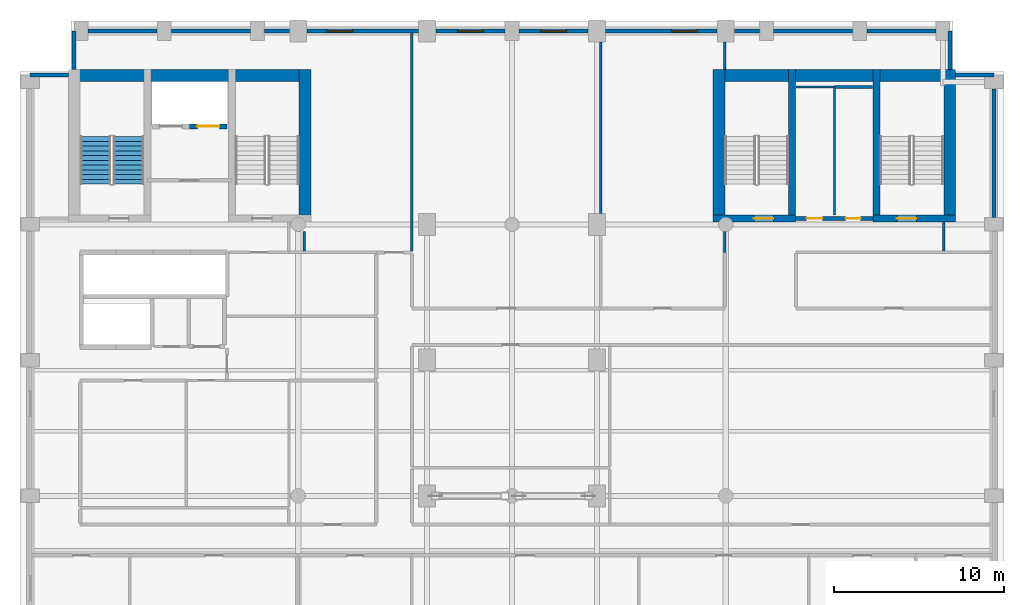
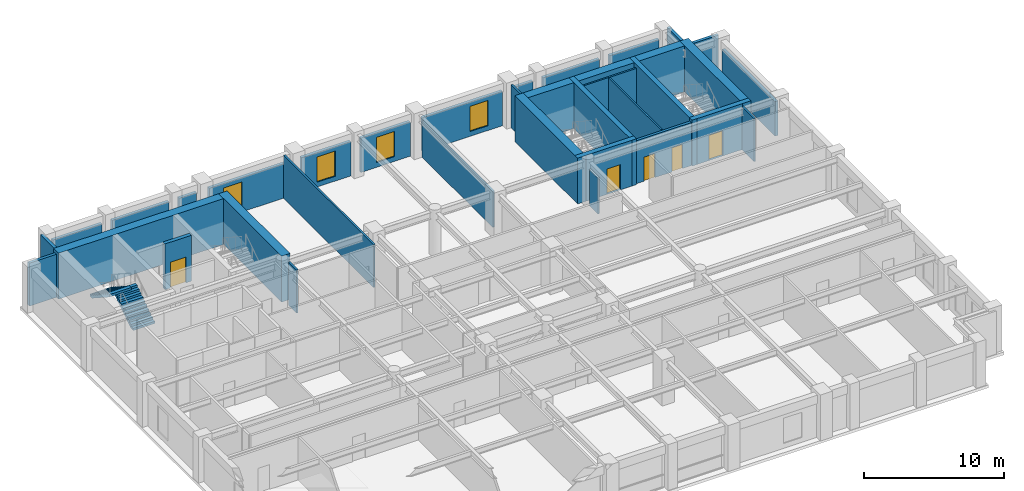
# One storey, part 9 of 13: 35 walls, 5 doors, 4 windows, 2 stair flights, 9 openings, 1 element without a shape of its own.
"""IFC4 building model written with IfcOpenShell, lengths in metres."""

from ifc_helpers import new_model, si_unit, direction, frame, frame_2d, origin, place, context, subcontext, project, spatial, polyline, rectangle, outline, extrude, material, layer, layer_set, type_object, element, fill, aggregate, save


model = new_model("IFC4")

# Units and contexts
model_context = context("Model", 3, precision=1e-05, world=origin(), true_north=direction((0.0, 1.0)))
body_context = subcontext(model_context, "Body", "Model", "MODEL_VIEW")
ifc_project = project(units=[si_unit("LENGTHUNIT", "METRE"), si_unit("AREAUNIT", "SQUARE_METRE"), si_unit("VOLUMEUNIT", "CUBIC_METRE"), si_unit("PLANEANGLEUNIT", "RADIAN"), si_unit("MASSUNIT", "GRAM", prefix="KILO")], contexts=[model_context])

# Site, building, storey
site_placement = place(None, origin())
site = spatial("IfcSite", under=ifc_project, at=site_placement, CompositionType="ELEMENT")
building_placement = place(site_placement, origin())
building = spatial("IfcBuilding", under=site, at=building_placement, Name="Sulina Concourse Tower", CompositionType="ELEMENT")
storey_placement = place(building_placement, frame((0.0, 0.0, 202.60009765625)))
storey = spatial("IfcBuildingStorey", under=building, at=storey_placement, Name="L49", CompositionType="ELEMENT", Elevation=202.60009765625)

# Wall, opening, door
ifc_material_1 = material(Name="Concrete C50/60", Category="concrete")
ifc_layer_1 = layer(ifc_material_1, 0.300048828125)
ifc_layer_set_1 = layer_set([ifc_layer_1], Name="Concrete C50/60")
wall_type_1 = type_object("IfcWallType", Name="Core Lift Hoistway Wall 300mm", PredefinedType="SOLIDWALL", material=ifc_layer_set_1)
wall_1_placement = place(storey_placement, frame((12.199951171875, 39.780029296875, 0.0), z_axis=(0.0, 0.0, 1.0), x_axis=(-1.0, 0.0, 0.0)))
wall_1 = element("IfcWall", 1, at=wall_1_placement, inside=storey, type_object=wall_type_1, Name="L49 hoistway enclosure wall FFL-2", PredefinedType="SOLIDWALL", context=body_context, shape_type="SweptSolid", body=[
    extrude(rectangle(XDim=2.199951171875, YDim=0.300048828125, at=frame_2d((1.10009765625, 0.0))), origin(), (0.0, 0.0, 1.0), 4.0),
])
opening_1_placement = place(wall_1_placement, frame((0.449951171875, 0.0, 0.0)))
opening_1 = element("IfcOpeningElement", 2, at=opening_1_placement, cuts=wall_1, Name="Opening LD-02", PredefinedType="OPENING", context=body_context, shape_type="SweptSolid", body=[
    extrude(rectangle(XDim=1.300048828125, YDim=2.25, at=frame_2d((0.64990234375, 1.125))), frame((0.0, 0.159912109375, 0.0), z_axis=(0.0, -1.0, 0.0), x_axis=(1.0, 0.0, 0.0)), (0.0, 0.0, 1.0), 0.320068359375),
])
ifc_material_2 = material(Name="Stainless steel lift landing door", Category="steel")
ifc_layer_2 = layer(ifc_material_2, 0.050048828125)
ifc_layer_set_2 = layer_set([ifc_layer_2], Name="Stainless steel lift landing door")
door_type_1 = type_object("IfcDoorType", Name="Firefighting Lift Sliding Landing Door 1300x2250", OperationType="SLIDING_TO_RIGHT", PredefinedType="DOOR", material=ifc_layer_set_2)
door_1_placement = place(opening_1_placement, origin())
door_1 = element("IfcDoor", 3, at=door_1_placement, inside=storey, type_object=door_type_1, Name="L49 lift landing sliding door FFL-2", OperationType="SLIDING_TO_RIGHT", OverallHeight=2.25, OverallWidth=1.300048828125, PredefinedType="DOOR", context=body_context, shape_type="SweptSolid", body=[
    extrude(rectangle(XDim=1.300048828125, YDim=2.25, at=frame_2d((0.64990234375, 1.125))), frame((0.0, 0.02490234375, 0.0), z_axis=(0.0, -1.0, 0.0), x_axis=(1.0, 0.0, 0.0)), (0.0, 0.0, 1.0), 0.050048828125),
])
fill(opening_1, door_1)

# Walls
ifc_material_3 = material(Name="Precast concrete C50/60", Category="concrete")
ifc_layer_3 = layer(ifc_material_3, 0.239990234375)
ifc_layer_set_3 = layer_set([ifc_layer_3], Name="Precast concrete C50/60")
wall_type_2 = type_object("IfcWallType", Name="Crown Precast Masonry-Frame Facade Wall 240mm", PredefinedType="SOLIDWALL", material=ifc_layer_set_3)
wall_2_placement = place(storey_placement, frame((4.02001953125, 45.39990234375, 0.0), z_axis=(0.0, 0.0, 1.0), x_axis=(1.0, 0.0, 0.0)))
element("IfcWall", 4, at=wall_2_placement, inside=storey, type_object=wall_type_2, Name="L49 exterior precast wall N1", PredefinedType="SOLIDWALL", context=body_context, shape_type="SweptSolid", body=[
    extrude(rectangle(XDim=4.06005859375, YDim=0.239990234375, at=frame_2d((2.030029296875, 0.0))), origin(), (0.0, 0.0, 1.0), 3.0),
])
wall_3_placement = place(storey_placement, frame((8.919921875, 45.39990234375, 0.0), z_axis=(0.0, 0.0, 1.0), x_axis=(1.0, 0.0, 0.0)))
element("IfcWall", 5, at=wall_3_placement, inside=storey, type_object=wall_type_2, Name="L49 exterior precast wall N2", PredefinedType="SOLIDWALL", context=body_context, shape_type="SweptSolid", body=[
    extrude(rectangle(XDim=4.66015625, YDim=0.239990234375, at=frame_2d((2.330078125, 0.0))), origin(), (0.0, 0.0, 1.0), 3.0),
])
wall_4_placement = place(storey_placement, frame((14.419921875, 45.39990234375, 0.0), z_axis=(0.0, 0.0, 1.0), x_axis=(1.0, 0.0, 0.0)))
element("IfcWall", 6, at=wall_4_placement, inside=storey, type_object=wall_type_2, Name="L49 exterior precast wall N3", PredefinedType="SOLIDWALL", context=body_context, shape_type="SweptSolid", body=[
    extrude(rectangle(XDim=1.4599609375, YDim=0.239990234375, at=frame_2d((0.72998046875, 0.0))), origin(), (0.0, 0.0, 1.0), 3.0),
])

# Wall, opening, window
wall_5_placement = place(storey_placement, frame((16.919921875, 45.39990234375, 0.0), z_axis=(0.0, 0.0, 1.0), x_axis=(1.0, 0.0, 0.0)))
wall_5 = element("IfcWall", 7, at=wall_5_placement, inside=storey, type_object=wall_type_2, Name="L49 exterior precast wall N4", PredefinedType="SOLIDWALL", context=body_context, shape_type="SweptSolid", body=[
    extrude(rectangle(XDim=6.56005859375, YDim=0.239990234375, at=frame_2d((3.280029296875, 0.0))), origin(), (0.0, 0.0, 1.0), 3.0),
])
opening_2_placement = place(wall_5_placement, frame((1.186767578125, 0.0, 0.419921875)))
opening_2 = element("IfcOpeningElement", 8, at=opening_2_placement, cuts=wall_5, Name="Opening WN-71", PredefinedType="OPENING", context=body_context, shape_type="SweptSolid", body=[
    extrude(rectangle(XDim=1.5, YDim=2.199951171875, at=frame_2d((0.75, 1.10009765625))), frame((0.0, 0.1298828125, 0.0), z_axis=(0.0, -1.0, 0.0), x_axis=(1.0, 0.0, 0.0)), (0.0, 0.0, 1.0), 0.260009765625),
])
ifc_material_4 = material(Name="Low-E solar double glazing in bronze aluminium", Category="aluminium")
window_type = type_object("IfcWindowType", Name="Punched Masonry-Frame Window 1500x2200", PartitioningType="SINGLE_PANEL", PredefinedType="WINDOW", material=ifc_material_4)
window_1_placement = place(opening_2_placement, origin())
window_1 = element("IfcWindow", 9, at=window_1_placement, inside=storey, type_object=window_type, Name="L49 punched window N4-1", OverallHeight=2.199951171875, OverallWidth=1.5, PartitioningType="SINGLE_PANEL", PredefinedType="WINDOW", context=body_context, shape_type="SweptSolid", body=[
    extrude(rectangle(XDim=1.5, YDim=2.199951171875, at=frame_2d((0.75, 1.10009765625))), frame((0.0, 0.030029296875, 0.0), z_axis=(0.0, -1.0, 0.0), x_axis=(1.0, 0.0, 0.0)), (0.0, 0.0, 1.0), 0.06005859375),
])
fill(opening_2, window_1)

wall_6_placement = place(storey_placement, frame((24.52001953125, 45.39990234375, 0.0), z_axis=(0.0, 0.0, 1.0), x_axis=(1.0, 0.0, 0.0)))
wall_6 = element("IfcWall", 10, at=wall_6_placement, inside=storey, type_object=wall_type_2, Name="L49 exterior precast wall N5", PredefinedType="SOLIDWALL", context=body_context, shape_type="SweptSolid", body=[
    extrude(rectangle(XDim=4.06005859375, YDim=0.239990234375, at=frame_2d((2.030029296875, 0.0))), origin(), (0.0, 0.0, 1.0), 3.0),
])
opening_3_placement = place(wall_6_placement, frame((1.280029296875, 0.0, 0.419921875)))
opening_3 = element("IfcOpeningElement", 11, at=opening_3_placement, cuts=wall_6, Name="Opening WN-71", PredefinedType="OPENING", context=body_context, shape_type="SweptSolid", body=[
    extrude(rectangle(XDim=1.5, YDim=2.199951171875, at=frame_2d((0.75, 1.10009765625))), frame((0.0, 0.1298828125, 0.0), z_axis=(0.0, -1.0, 0.0), x_axis=(1.0, 0.0, 0.0)), (0.0, 0.0, 1.0), 0.260009765625),
])
window_2_placement = place(opening_3_placement, origin())
window_2 = element("IfcWindow", 12, at=window_2_placement, inside=storey, type_object=window_type, Name="L49 punched window N5-1", OverallHeight=2.199951171875, OverallWidth=1.5, PartitioningType="SINGLE_PANEL", PredefinedType="WINDOW", context=body_context, shape_type="SweptSolid", body=[
    extrude(rectangle(XDim=1.5, YDim=2.199951171875, at=frame_2d((0.75, 1.10009765625))), frame((0.0, 0.030029296875, 0.0), z_axis=(0.0, -1.0, 0.0), x_axis=(1.0, 0.0, 0.0)), (0.0, 0.0, 1.0), 0.06005859375),
])
fill(opening_3, window_2)

wall_7_placement = place(storey_placement, frame((29.419921875, 45.39990234375, 0.0), z_axis=(0.0, 0.0, 1.0), x_axis=(1.0, 0.0, 0.0)))
wall_7 = element("IfcWall", 13, at=wall_7_placement, inside=storey, type_object=wall_type_2, Name="L49 exterior precast wall N6", PredefinedType="SOLIDWALL", context=body_context, shape_type="SweptSolid", body=[
    extrude(rectangle(XDim=4.06005859375, YDim=0.239990234375, at=frame_2d((2.030029296875, 0.0))), origin(), (0.0, 0.0, 1.0), 3.0),
])
opening_4_placement = place(wall_7_placement, frame((1.280029296875, 0.0, 0.419921875)))
opening_4 = element("IfcOpeningElement", 14, at=opening_4_placement, cuts=wall_7, Name="Opening WN-71", PredefinedType="OPENING", context=body_context, shape_type="SweptSolid", body=[
    extrude(rectangle(XDim=1.5, YDim=2.199951171875, at=frame_2d((0.75, 1.10009765625))), frame((0.0, 0.1298828125, 0.0), z_axis=(0.0, -1.0, 0.0), x_axis=(1.0, 0.0, 0.0)), (0.0, 0.0, 1.0), 0.260009765625),
])
window_3_placement = place(opening_4_placement, origin())
window_3 = element("IfcWindow", 15, at=window_3_placement, inside=storey, type_object=window_type, Name="L49 punched window N6-1", OverallHeight=2.199951171875, OverallWidth=1.5, PartitioningType="SINGLE_PANEL", PredefinedType="WINDOW", context=body_context, shape_type="SweptSolid", body=[
    extrude(rectangle(XDim=1.5, YDim=2.199951171875, at=frame_2d((0.75, 1.10009765625))), frame((0.0, 0.030029296875, 0.0), z_axis=(0.0, -1.0, 0.0), x_axis=(1.0, 0.0, 0.0)), (0.0, 0.0, 1.0), 0.06005859375),
])
fill(opening_4, window_3)

wall_8_placement = place(storey_placement, frame((34.52001953125, 45.39990234375, 0.0), z_axis=(0.0, 0.0, 1.0), x_axis=(1.0, 0.0, 0.0)))
wall_8 = element("IfcWall", 16, at=wall_8_placement, inside=storey, type_object=wall_type_2, Name="L49 exterior precast wall N7", PredefinedType="SOLIDWALL", context=body_context, shape_type="SweptSolid", body=[
    extrude(rectangle(XDim=6.56005859375, YDim=0.239990234375, at=frame_2d((3.280029296875, 0.0))), origin(), (0.0, 0.0, 1.0), 3.0),
])
opening_5_placement = place(wall_8_placement, frame((3.873291015625, 0.0, 0.419921875)))
opening_5 = element("IfcOpeningElement", 17, at=opening_5_placement, cuts=wall_8, Name="Opening WN-71", PredefinedType="OPENING", context=body_context, shape_type="SweptSolid", body=[
    extrude(rectangle(XDim=1.5, YDim=2.199951171875, at=frame_2d((0.75, 1.10009765625))), frame((0.0, 0.1298828125, 0.0), z_axis=(0.0, -1.0, 0.0), x_axis=(1.0, 0.0, 0.0)), (0.0, 0.0, 1.0), 0.260009765625),
])
window_4_placement = place(opening_5_placement, origin())
window_4 = element("IfcWindow", 18, at=window_4_placement, inside=storey, type_object=window_type, Name="L49 punched window N7-1", OverallHeight=2.199951171875, OverallWidth=1.5, PartitioningType="SINGLE_PANEL", PredefinedType="WINDOW", context=body_context, shape_type="SweptSolid", body=[
    extrude(rectangle(XDim=1.5, YDim=2.199951171875, at=frame_2d((0.75, 1.10009765625))), frame((0.0, 0.030029296875, 0.0), z_axis=(0.0, -1.0, 0.0), x_axis=(1.0, 0.0, 0.0)), (0.0, 0.0, 1.0), 0.06005859375),
])
fill(opening_5, window_4)

# Walls
wall_9_placement = place(storey_placement, frame((42.1201171875, 45.39990234375, 0.0), z_axis=(0.0, 0.0, 1.0), x_axis=(1.0, 0.0, 0.0)))
element("IfcWall", 19, at=wall_9_placement, inside=storey, type_object=wall_type_2, Name="L49 exterior precast wall N8", PredefinedType="SOLIDWALL", context=body_context, shape_type="SweptSolid", body=[
    extrude(rectangle(XDim=1.4599609375, YDim=0.239990234375, at=frame_2d((0.72998046875, 0.0))), origin(), (0.0, 0.0, 1.0), 3.0),
])
wall_10_placement = place(storey_placement, frame((44.419921875, 45.39990234375, 0.0), z_axis=(0.0, 0.0, 1.0), x_axis=(1.0, 0.0, 0.0)))
element("IfcWall", 20, at=wall_10_placement, inside=storey, type_object=wall_type_2, Name="L49 exterior precast wall N9", PredefinedType="SOLIDWALL", context=body_context, shape_type="SweptSolid", body=[
    extrude(rectangle(XDim=4.66015625, YDim=0.239990234375, at=frame_2d((2.330078125, 0.0))), origin(), (0.0, 0.0, 1.0), 3.0),
])
wall_11_placement = place(storey_placement, frame((49.919921875, 45.39990234375, 0.0), z_axis=(0.0, 0.0, 1.0), x_axis=(1.0, 0.0, 0.0)))
element("IfcWall", 21, at=wall_11_placement, inside=storey, type_object=wall_type_2, Name="L49 exterior precast wall N10", PredefinedType="SOLIDWALL", context=body_context, shape_type="SweptSolid", body=[
    extrude(rectangle(XDim=4.06005859375, YDim=0.239990234375, at=frame_2d((2.030029296875, 0.0))), origin(), (0.0, 0.0, 1.0), 3.0),
])
wall_12_placement = place(storey_placement, frame((57.39990234375, 41.97998046875, 0.0), z_axis=(0.0, 0.0, 1.0), x_axis=(0.0, -1.0, 0.0)))
element("IfcWall", 22, at=wall_12_placement, inside=storey, type_object=wall_type_2, Name="L49 exterior precast wall E5", PredefinedType="SOLIDWALL", context=body_context, shape_type="SweptSolid", body=[
    extrude(rectangle(XDim=7.56005859375, YDim=0.239990234375, at=frame_2d((3.780029296875, 0.0))), origin(), (0.0, 0.0, 1.0), 3.0),
])
wall_13_placement = place(storey_placement, frame((0.60009765625, 42.820068359375, 0.0), z_axis=(0.0, 0.0, 1.0), x_axis=(1.0, 0.0, 0.0)))
element("IfcWall", 23, at=wall_13_placement, inside=storey, type_object=wall_type_2, Name="L49 exterior precast wall CNW1", PredefinedType="SOLIDWALL", context=body_context, shape_type="SweptSolid", body=[
    extrude(rectangle(XDim=2.244873046875, YDim=0.239990234375, at=frame_2d((1.12255859375, 0.0))), origin(), (0.0, 0.0, 1.0), 3.75),
])
for number, where, z_axis, x_axis, name in (
    (24, (3.179931640625, 43.135009765625, 0.0), (0.0, 0.0, 1.0), (0.0, 1.0, 0.0), "L49 exterior precast wall CNW2"),
    (25, (54.820068359375, 45.39990234375, 0.0), (0.0, 0.0, 1.0), (0.0, -1.0, 0.0), "L49 exterior precast wall CNE1"),
):
    element("IfcWall", number, at=place(storey_placement, frame(where, z_axis=z_axis, x_axis=x_axis)), inside=storey, type_object=wall_type_2, Name=name, PredefinedType="SOLIDWALL", context=body_context, shape_type="SweptSolid", body=[
        extrude(rectangle(XDim=2.264892578125, YDim=0.239990234375, at=frame_2d((1.13232421875, 0.0))), origin(), (0.0, 0.0, 1.0), 3.75),
    ])
wall_14_placement = place(storey_placement, frame((55.155029296875, 42.820068359375, 0.0), z_axis=(0.0, 0.0, 1.0), x_axis=(1.0, 0.0, 0.0)))
element("IfcWall", 26, at=wall_14_placement, inside=storey, type_object=wall_type_2, Name="L49 exterior precast wall CNE2", PredefinedType="SOLIDWALL", context=body_context, shape_type="SweptSolid", body=[
    extrude(rectangle(XDim=2.244873046875, YDim=0.239990234375, at=frame_2d((1.12255859375, 0.0))), origin(), (0.0, 0.0, 1.0), 3.75),
])

# Wall, openings, doors
ifc_material_5 = material(Name="Gypsum board on steel stud", Category="steel")
ifc_layer_4 = layer(ifc_material_5, 0.219970703125)
ifc_layer_set_4 = layer_set([ifc_layer_4], Name="Gypsum board on steel stud")
wall_type_3 = type_object("IfcWallType", Name="Fire-Rated Lobby & Compartment Wall 220mm", PredefinedType="PARTITIONING", material=ifc_layer_set_4)
wall_15_placement = place(storey_placement, frame((45.719970703125, 34.35009765625, 0.0), z_axis=(0.0, 0.0, 1.0), x_axis=(1.0, 0.0, 0.0)))
wall_15 = element("IfcWall", 27, at=wall_15_placement, inside=storey, type_object=wall_type_3, Name="L49 east core south lobby wall", PredefinedType="PARTITIONING", context=body_context, shape_type="SweptSolid", body=[
    extrude(rectangle(XDim=4.56005859375, YDim=0.219970703125, at=frame_2d((2.280029296875, 0.0))), origin(), (0.0, 0.0, 1.0), 3.75),
])
opening_6_placement = place(wall_15_placement, frame((0.64990234375, 0.0, 0.0)))
opening_6 = element("IfcOpeningElement", 28, at=opening_6_placement, cuts=wall_15, Name="Opening DR-61", PredefinedType="OPENING", context=body_context, shape_type="SweptSolid", body=[
    extrude(rectangle(XDim=0.919921875, YDim=2.10009765625, at=frame_2d((0.4599609375, 1.050048828125))), frame((0.0, 0.119873046875, 0.0), z_axis=(0.0, -1.0, 0.0), x_axis=(1.0, 0.0, 0.0)), (0.0, 0.0, 1.0), 0.239990234375),
])
opening_7_placement = place(wall_15_placement, frame((2.949951171875, 0.0, 0.0)))
opening_7 = element("IfcOpeningElement", 29, at=opening_7_placement, cuts=wall_15, Name="Opening DR-38", PredefinedType="OPENING", context=body_context, shape_type="SweptSolid", body=[
    extrude(rectangle(XDim=0.8798828125, YDim=2.10009765625, at=frame_2d((0.43994140625, 1.050048828125))), frame((0.0, 0.119873046875, 0.0), z_axis=(0.0, -1.0, 0.0), x_axis=(1.0, 0.0, 0.0)), (0.0, 0.0, 1.0), 0.239990234375),
])
ifc_material_6 = material(Name="Oak-veneered fire door leaf")
ifc_layer_5 = layer(ifc_material_6, 0.050048828125)
ifc_layer_set_5 = layer_set([ifc_layer_5], Name="Oak-veneered fire door leaf")
door_type_2 = type_object("IfcDoorType", Name="Accessible WC Door 920x2100", OperationType="NOTDEFINED", PredefinedType="DOOR", material=ifc_layer_set_5)
door_2_placement = place(opening_6_placement, origin())
door_2 = element("IfcDoor", 30, at=door_2_placement, inside=storey, type_object=door_type_2, Name="L49 east core accessible wc door", OperationType="SINGLE_SWING_RIGHT", OverallHeight=2.10009765625, OverallWidth=0.919921875, PredefinedType="DOOR", context=body_context, shape_type="SweptSolid", body=[
    extrude(rectangle(XDim=0.919921875, YDim=2.10009765625, at=frame_2d((0.4599609375, 1.050048828125))), frame((0.0, 0.02490234375, 0.0), z_axis=(0.0, -1.0, 0.0), x_axis=(1.0, 0.0, 0.0)), (0.0, 0.0, 1.0), 0.050048828125),
])
fill(opening_6, door_2)
ifc_material_7 = material(Name="Galvanised steel acoustic fire leaf", Category="steel")
ifc_layer_6 = layer(ifc_material_7, 0.050048828125)
ifc_layer_set_6 = layer_set([ifc_layer_6], Name="Galvanised steel acoustic fire leaf")
door_type_3 = type_object("IfcDoorType", Name="Service Riser Fire Door 880x2100", OperationType="NOTDEFINED", PredefinedType="DOOR", material=ifc_layer_set_6)
door_3_placement = place(opening_7_placement, origin())
door_3 = element("IfcDoor", 31, at=door_3_placement, inside=storey, type_object=door_type_3, Name="L49 east core store door", OperationType="SINGLE_SWING_LEFT", OverallHeight=2.10009765625, OverallWidth=0.8798828125, PredefinedType="DOOR", context=body_context, shape_type="SweptSolid", body=[
    extrude(rectangle(XDim=0.8798828125, YDim=2.10009765625, at=frame_2d((0.43994140625, 1.050048828125))), frame((0.0, 0.02490234375, 0.0), z_axis=(0.0, -1.0, 0.0), x_axis=(1.0, 0.0, 0.0)), (0.0, 0.0, 1.0), 0.050048828125),
])
fill(opening_7, door_3)

# Walls
ifc_material_8 = material(Name="Gypsum board on steel stud", Category="steel")
ifc_layer_7 = layer(ifc_material_8, 0.14990234375)
ifc_layer_set_7 = layer_set([ifc_layer_7], Name="Gypsum board on steel stud")
wall_type_4 = type_object("IfcWallType", Name="Inter-Tenancy Acoustic Partition 150mm", PredefinedType="PARTITIONING", material=ifc_layer_set_7)
wall_16_placement = place(storey_placement, frame((48.0, 42.10009765625, 0.0), z_axis=(0.0, 0.0, 1.0), x_axis=(1.0, 0.0, 0.0)))
element("IfcWall", 32, at=wall_16_placement, inside=storey, type_object=wall_type_4, Name="L49 interior partition 035", PredefinedType="PARTITIONING", context=body_context, shape_type="SweptSolid", body=[
    extrude(rectangle(XDim=2.25, YDim=0.14990234375, at=frame_2d((1.125, 0.0))), origin(), (0.0, 0.0, 1.0), 3.75),
])
wall_17_placement = place(storey_placement, frame((16.75, 32.425048828125, 0.0), z_axis=(0.0, 0.0, 1.0), x_axis=(0.0, 1.0, 0.0)))
element("IfcWall", 33, at=wall_17_placement, inside=storey, type_object=wall_type_4, Name="L49 interior partition 047", PredefinedType="PARTITIONING", context=body_context, shape_type="SweptSolid", body=[
    extrude(rectangle(XDim=1.14990234375, YDim=0.14990234375, at=frame_2d((0.574951171875, 0.0))), origin(), (0.0, 0.0, 1.0), 3.75),
])
wall_18_placement = place(storey_placement, frame((23.10009765625, 32.43994140625, 0.0), z_axis=(0.0, 0.0, 1.0), x_axis=(0.0, 1.0, 0.0)))
element("IfcWall", 34, at=wall_18_placement, inside=storey, type_object=wall_type_4, Name="L49 interior partition 055", PredefinedType="PARTITIONING", context=body_context, shape_type="SweptSolid", body=[
    extrude(rectangle(XDim=12.840087890625, YDim=0.14990234375, at=frame_2d((6.419921875, 0.0))), origin(), (0.0, 0.0, 1.0), 3.75),
])
wall_19_placement = place(storey_placement, frame((34.219970703125, 34.64990234375, 0.0), z_axis=(0.0, 0.0, 1.0), x_axis=(0.0, 1.0, 0.0)))
element("IfcWall", 35, at=wall_19_placement, inside=storey, type_object=wall_type_4, Name="L49 interior partition 057", PredefinedType="PARTITIONING", context=body_context, shape_type="SweptSolid", body=[
    extrude(rectangle(XDim=10.10009765625, YDim=0.14990234375, at=frame_2d((5.050048828125, 0.0))), origin(), (0.0, 0.0, 1.0), 3.14501953125),
])
wall_20_placement = place(storey_placement, frame((41.550048828125, 32.35009765625, 0.0), z_axis=(0.0, 0.0, 1.0), x_axis=(0.0, 1.0, 0.0)))
element("IfcWall", 36, at=wall_20_placement, inside=storey, type_object=wall_type_4, Name="L49 interior partition 062", PredefinedType="PARTITIONING", context=body_context, shape_type="SweptSolid", body=[
    extrude(rectangle(XDim=1.224853515625, YDim=0.14990234375, at=frame_2d((0.6123046875, 0.0))), origin(), (0.0, 0.0, 1.0), 3.14501953125),
])
wall_21_placement = place(storey_placement, frame((41.550048828125, 43.1298828125, 0.0), z_axis=(0.0, 0.0, 1.0), x_axis=(0.0, 1.0, 0.0)))
element("IfcWall", 37, at=wall_21_placement, inside=storey, type_object=wall_type_4, Name="L49 interior partition 063", PredefinedType="PARTITIONING", context=body_context, shape_type="SweptSolid", body=[
    extrude(rectangle(XDim=1.6201171875, YDim=0.14990234375, at=frame_2d((0.81005859375, 0.0))), origin(), (0.0, 0.0, 1.0), 3.75),
])
wall_22_placement = place(storey_placement, frame((54.449951171875, 32.425048828125, 0.0), z_axis=(0.0, 0.0, 1.0), x_axis=(0.0, 1.0, 0.0)))
element("IfcWall", 38, at=wall_22_placement, inside=storey, type_object=wall_type_4, Name="L49 interior partition 068", PredefinedType="PARTITIONING", context=body_context, shape_type="SweptSolid", body=[
    extrude(rectangle(XDim=1.724853515625, YDim=0.14990234375, at=frame_2d((0.8623046875, 0.0))), origin(), (0.0, 0.0, 1.0), 3.75),
])

# Wall, opening, door
ifc_material_9 = material(Name="Concrete C60/75", Category="concrete")
ifc_layer_8 = layer(ifc_material_9, 0.39990234375)
ifc_layer_set_8 = layer_set([ifc_layer_8], Name="Concrete C60/75")
wall_type_5 = type_object("IfcWallType", Name="Protected Stair Core Shear Wall 400mm", PredefinedType="SHEAR", material=ifc_layer_set_8)
wall_23_placement = place(storey_placement, frame((40.85009765625, 34.35009765625, 0.0), z_axis=(0.0, 0.0, 1.0), x_axis=(1.0, 0.0, 0.0)))
wall_23 = element("IfcWall", 39, at=wall_23_placement, inside=storey, type_object=wall_type_5, Name="L49 east core shear wall CW-ES1", PredefinedType="SHEAR", context=body_context, shape_type="SweptSolid", body=[
    extrude(rectangle(XDim=4.85986328125, YDim=0.39990234375, at=frame_2d((2.429931640625, 0.0))), origin(), (0.0, 0.0, 1.0), 4.0),
])
opening_8_placement = place(wall_23_placement, frame((2.39990234375, 0.0, 0.0)))
opening_8 = element("IfcOpeningElement", 40, at=opening_8_placement, cuts=wall_23, Name="Opening DR-60", PredefinedType="OPENING", context=body_context, shape_type="SweptSolid", body=[
    extrude(rectangle(XDim=1.14990234375, YDim=2.199951171875, at=frame_2d((0.574951171875, 1.10009765625))), frame((0.0, 0.2099609375, 0.0), z_axis=(0.0, -1.0, 0.0), x_axis=(1.0, 0.0, 0.0)), (0.0, 0.0, 1.0), 0.419921875),
])
ifc_material_10 = material(Name="Galvanised steel acoustic fire leaf", Category="steel")
ifc_layer_9 = layer(ifc_material_10, 0.054931640625)
ifc_layer_set_9 = layer_set([ifc_layer_9], Name="Galvanised steel acoustic fire leaf")
door_type_4 = type_object("IfcDoorType", Name="Protected Exit Stair Fire Door 1150x2200", OperationType="NOTDEFINED", PredefinedType="DOOR", material=ifc_layer_set_9)
door_4_placement = place(opening_8_placement, origin())
door_4 = element("IfcDoor", 41, at=door_4_placement, inside=storey, type_object=door_type_4, Name="L49 stair ST-3 south lobby fire door", OperationType="SINGLE_SWING_LEFT", OverallHeight=2.199951171875, OverallWidth=1.14990234375, PredefinedType="DOOR", context=body_context, shape_type="SweptSolid", body=[
    extrude(rectangle(XDim=1.14990234375, YDim=2.199951171875, at=frame_2d((0.574951171875, 1.10009765625))), frame((0.0, 0.02490234375, 0.0), z_axis=(0.0, -1.0, 0.0), x_axis=(1.0, 0.0, 0.0)), (0.0, 0.0, 1.0), 0.050048828125),
])
fill(opening_8, door_4)

# Wall
wall_24_placement = place(storey_placement, frame((45.510009765625, 34.14990234375, 0.0), z_axis=(0.0, 0.0, 1.0), x_axis=(0.0, 1.0, 0.0)))
element("IfcWall", 42, at=wall_24_placement, inside=storey, type_object=wall_type_5, Name="L49 east core shear wall SW-ST3", PredefinedType="SHEAR", context=body_context, shape_type="SweptSolid", body=[
    extrude(rectangle(XDim=8.97998046875, YDim=0.39990234375, at=frame_2d((4.489990234375, 0.0))), origin(), (0.0, 0.0, 1.0), 4.0),
])

# Wall, opening, door
wall_25_placement = place(storey_placement, frame((50.2900390625, 34.35009765625, 0.0), z_axis=(0.0, 0.0, 1.0), x_axis=(1.0, 0.0, 0.0)))
wall_25 = element("IfcWall", 43, at=wall_25_placement, inside=storey, type_object=wall_type_5, Name="L49 east core shear wall CW-ES2", PredefinedType="SHEAR", context=body_context, shape_type="SweptSolid", body=[
    extrude(rectangle(XDim=4.85986328125, YDim=0.39990234375, at=frame_2d((2.429931640625, 0.0))), origin(), (0.0, 0.0, 1.0), 4.0),
])
opening_9_placement = place(wall_25_placement, frame((1.39990234375, 0.0, 0.0)))
opening_9 = element("IfcOpeningElement", 44, at=opening_9_placement, cuts=wall_25, Name="Opening DR-60", PredefinedType="OPENING", context=body_context, shape_type="SweptSolid", body=[
    extrude(rectangle(XDim=1.14990234375, YDim=2.199951171875, at=frame_2d((0.574951171875, 1.10009765625))), frame((0.0, 0.2099609375, 0.0), z_axis=(0.0, -1.0, 0.0), x_axis=(1.0, 0.0, 0.0)), (0.0, 0.0, 1.0), 0.419921875),
])
door_5_placement = place(opening_9_placement, origin())
door_5 = element("IfcDoor", 45, at=door_5_placement, inside=storey, type_object=door_type_4, Name="L49 stair ST-4 south lobby fire door", OperationType="SINGLE_SWING_RIGHT", OverallHeight=2.199951171875, OverallWidth=1.14990234375, PredefinedType="DOOR", context=body_context, shape_type="SweptSolid", body=[
    extrude(rectangle(XDim=1.14990234375, YDim=2.199951171875, at=frame_2d((0.574951171875, 1.10009765625))), frame((0.0, 0.02490234375, 0.0), z_axis=(0.0, -1.0, 0.0), x_axis=(1.0, 0.0, 0.0)), (0.0, 0.0, 1.0), 0.050048828125),
])
fill(opening_9, door_5)

# Walls
wall_26_placement = place(storey_placement, frame((50.489990234375, 34.14990234375, 0.0), z_axis=(0.0, 0.0, 1.0), x_axis=(0.0, 1.0, 0.0)))
element("IfcWall", 46, at=wall_26_placement, inside=storey, type_object=wall_type_5, Name="L49 east core shear wall SW-ST4", PredefinedType="SHEAR", context=body_context, shape_type="SweptSolid", body=[
    extrude(rectangle(XDim=8.97998046875, YDim=0.39990234375, at=frame_2d((4.489990234375, 0.0))), origin(), (0.0, 0.0, 1.0), 4.0),
])
ifc_material_11 = material(Name="Concrete C60/75", Category="concrete")
ifc_layer_10 = layer(ifc_material_11, 0.699951171875)
ifc_layer_set_10 = layer_set([ifc_layer_10], Name="Concrete C60/75")
wall_type_6 = type_object("IfcWallType", Name="Rear Core Shear Wall 700mm", PredefinedType="SHEAR", material=ifc_layer_set_10)
wall_27_placement = place(storey_placement, frame((2.85009765625, 42.780029296875, 0.0), z_axis=(0.0, 0.0, 1.0), x_axis=(1.0, 0.0, 0.0)))
element("IfcWall", 47, at=wall_27_placement, inside=storey, type_object=wall_type_6, Name="L49 west core shear wall CW-WN", PredefinedType="SHEAR", context=body_context, shape_type="SweptSolid", body=[
    extrude(rectangle(XDim=14.2998046875, YDim=0.699951171875, at=frame_2d((7.14990234375, 0.0))), origin(), (0.0, 0.0, 1.0), 4.0),
])
wall_28_placement = place(storey_placement, frame((16.800048828125, 34.14990234375, 0.0), z_axis=(0.0, 0.0, 1.0), x_axis=(0.0, 1.0, 0.0)))
element("IfcWall", 48, at=wall_28_placement, inside=storey, type_object=wall_type_6, Name="L49 west core shear wall CW-WE", PredefinedType="SHEAR", context=body_context, shape_type="SweptSolid", body=[
    extrude(rectangle(XDim=8.97998046875, YDim=0.699951171875, at=frame_2d((4.489990234375, 0.0))), origin(), (0.0, 0.0, 1.0), 4.0),
])
wall_29_placement = place(storey_placement, frame((40.85009765625, 42.780029296875, 0.0), z_axis=(0.0, 0.0, 1.0), x_axis=(1.0, 0.0, 0.0)))
element("IfcWall", 49, at=wall_29_placement, inside=storey, type_object=wall_type_6, Name="L49 east core shear wall CW-EN", PredefinedType="SHEAR", context=body_context, shape_type="SweptSolid", body=[
    extrude(rectangle(XDim=14.2998046875, YDim=0.699951171875, at=frame_2d((7.14990234375, 0.0))), origin(), (0.0, 0.0, 1.0), 4.0),
])
for number, where, z_axis, x_axis, name in (
    (50, (41.199951171875, 34.14990234375, 0.0), (0.0, 0.0, 1.0), (0.0, 1.0, 0.0), "L49 east core shear wall CW-EW"),
    (51, (54.800048828125, 34.14990234375, 0.0), (0.0, 0.0, 1.0), (0.0, 1.0, 0.0), "L49 east core shear wall CW-EE"),
):
    element("IfcWall", number, at=place(storey_placement, frame(where, z_axis=z_axis, x_axis=x_axis)), inside=storey, type_object=wall_type_6, Name=name, PredefinedType="SHEAR", context=body_context, shape_type="SweptSolid", body=[
        extrude(rectangle(XDim=8.97998046875, YDim=0.699951171875, at=frame_2d((4.489990234375, 0.0))), origin(), (0.0, 0.0, 1.0), 4.0),
    ])
ifc_material_12 = material(Name="Gypsum board on steel stud", Category="steel")
ifc_layer_11 = layer(ifc_material_12, 0.125)
ifc_layer_set_11 = layer_set([ifc_layer_11], Name="Gypsum board on steel stud")
wall_type_7 = type_object("IfcWallType", Name="Wet-Area Moisture-Resistant Partition 125mm", PredefinedType="PARTITIONING", material=ifc_layer_set_11)
wall_30_placement = place(storey_placement, frame((45.75, 42.10009765625, 0.0), z_axis=(0.0, 0.0, 1.0), x_axis=(1.0, 0.0, 0.0)))
element("IfcWall", 52, at=wall_30_placement, inside=storey, type_object=wall_type_7, Name="L49 interior partition 034", PredefinedType="PARTITIONING", context=body_context, shape_type="SweptSolid", body=[
    extrude(rectangle(XDim=2.25, YDim=0.125, at=frame_2d((1.125, 0.0))), origin(), (0.0, 0.0, 1.0), 3.75),
])
wall_31_placement = place(storey_placement, frame((48.0, 34.550048828125, 0.0), z_axis=(0.0, 0.0, 1.0), x_axis=(0.0, 1.0, 0.0)))
element("IfcWall", 53, at=wall_31_placement, inside=storey, type_object=wall_type_7, Name="L49 interior partition 066", PredefinedType="PARTITIONING", context=body_context, shape_type="SweptSolid", body=[
    extrude(rectangle(XDim=7.474853515625, YDim=0.125, at=frame_2d((3.7373046875, 0.0))), origin(), (0.0, 0.0, 1.0), 3.75),
])

# Stair, stair flights
ifc_material_13 = material(Name="Concrete C50/60", Category="concrete")
stair_type = type_object("IfcStairType", Name="Primary Core Dog-Leg Exit Stair 1800mm", PredefinedType="HALF_TURN_STAIR", material=ifc_material_13)
stair_placement = place(storey_placement, origin())
stair = element("IfcStair", 54, at=stair_placement, inside=storey, type_object=stair_type, Name="L49 ST-1", PredefinedType="HALF_TURN_STAIR")
ifc_material_14 = material(Name="Concrete C50/60", Category="concrete")
stair_flight_type = type_object("IfcStairFlightType", Name="Primary Core Dog-Leg Exit Stair 1800mm Flight", PredefinedType="STRAIGHT", material=ifc_material_14)
stair_flight_1_placement = place(storey_placement, frame((6.405029296875, 36.375, 0.0), z_axis=(0.0, 0.0, 1.0), x_axis=(0.0, 1.0, 0.0)))
stair_flight_1 = element("IfcStairFlight", 55, at=stair_flight_1_placement, type_object=stair_flight_type, Name="ST-1 flight 1", NumberOfRisers=11, NumberOfTreads=10, PredefinedType="STRAIGHT", RiserHeight=0.181818182, TreadLength=0.28, context=body_context, shape_type="SweptSolid", body=[
    extrude(outline(polyline([(0.0, 0.0), (0.0, 0.181884765625), (0.280029296875, 0.181884765625), (0.280029296875, 0.363525390625), (0.56005859375, 0.363525390625), (0.56005859375, 0.54541015625), (0.840087890625, 0.54541015625), (0.840087890625, 0.727294921875), (1.1201171875, 0.727294921875), (1.1201171875, 0.9091796875), (1.39990234375, 0.9091796875), (1.39990234375, 1.0908203125), (1.679931640625, 1.0908203125), (1.679931640625, 1.272705078125), (1.9599609375, 1.272705078125), (1.9599609375, 1.45458984375), (2.239990234375, 1.45458984375), (2.239990234375, 1.636474609375), (2.52001953125, 1.636474609375), (2.52001953125, 1.818115234375), (2.800048828125, 1.818115234375), (2.800048828125, 2.0), (2.800048828125, 1.603759765625), (0.330322265625, 0.0), (0.0, 0.0)])), frame((0.0, 0.89990234375, 0.0), z_axis=(0.0, -1.0, 0.0), x_axis=(1.0, 0.0, 0.0)), (0.0, 0.0, 1.0), 1.800048828125),
])
stair_flight_2_placement = place(storey_placement, frame((4.455078125, 39.175048828125, 2.0), z_axis=(0.0, 0.0, 1.0), x_axis=(0.0, -1.0, 0.0)))
stair_flight_2 = element("IfcStairFlight", 56, at=stair_flight_2_placement, type_object=stair_flight_type, Name="ST-1 flight 2", NumberOfRisers=11, NumberOfTreads=10, PredefinedType="STRAIGHT", RiserHeight=0.181818182, TreadLength=0.28, context=body_context, shape_type="SweptSolid", body=[
    extrude(outline(polyline([(0.0, 0.0), (0.0, 0.181884765625), (0.280029296875, 0.181884765625), (0.280029296875, 0.363525390625), (0.56005859375, 0.363525390625), (0.56005859375, 0.54541015625), (0.840087890625, 0.54541015625), (0.840087890625, 0.727294921875), (1.1201171875, 0.727294921875), (1.1201171875, 0.9091796875), (1.39990234375, 0.9091796875), (1.39990234375, 1.0908203125), (1.679931640625, 1.0908203125), (1.679931640625, 1.272705078125), (1.9599609375, 1.272705078125), (1.9599609375, 1.45458984375), (2.239990234375, 1.45458984375), (2.239990234375, 1.636474609375), (2.52001953125, 1.636474609375), (2.52001953125, 1.818115234375), (2.800048828125, 1.818115234375), (2.800048828125, 2.0), (2.800048828125, 1.603759765625), (0.330322265625, 0.0), (0.0, 0.0)])), frame((0.0, 0.89990234375, 0.0), z_axis=(0.0, -1.0, 0.0), x_axis=(1.0, 0.0, 0.0)), (0.0, 0.0, 1.0), 1.800048828125),
])
aggregate(stair, [stair_flight_1, stair_flight_2])

save(model, "model.ifc")
